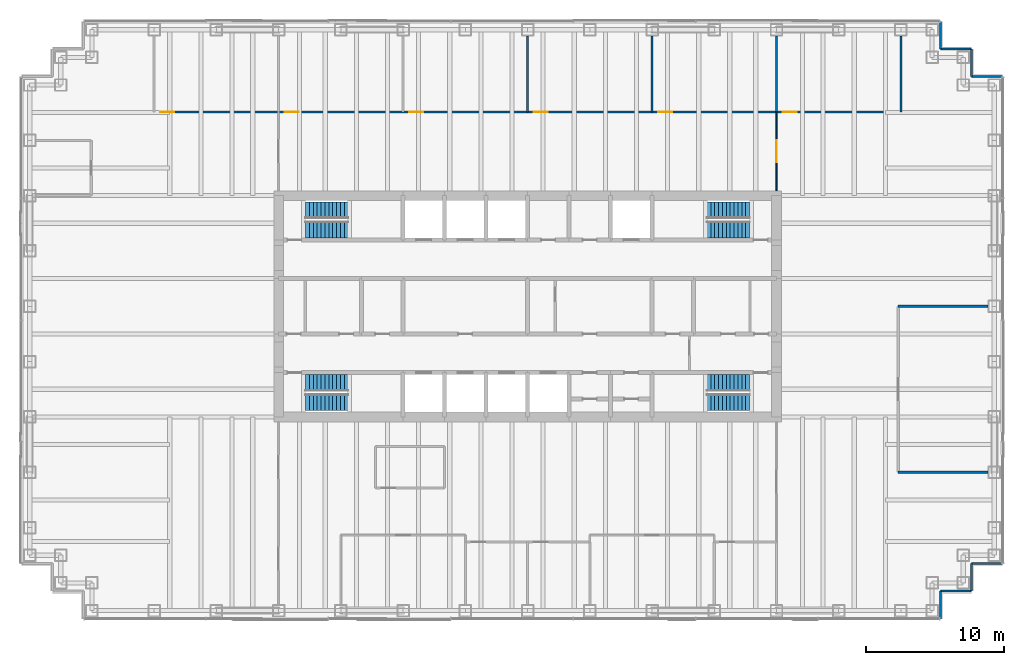
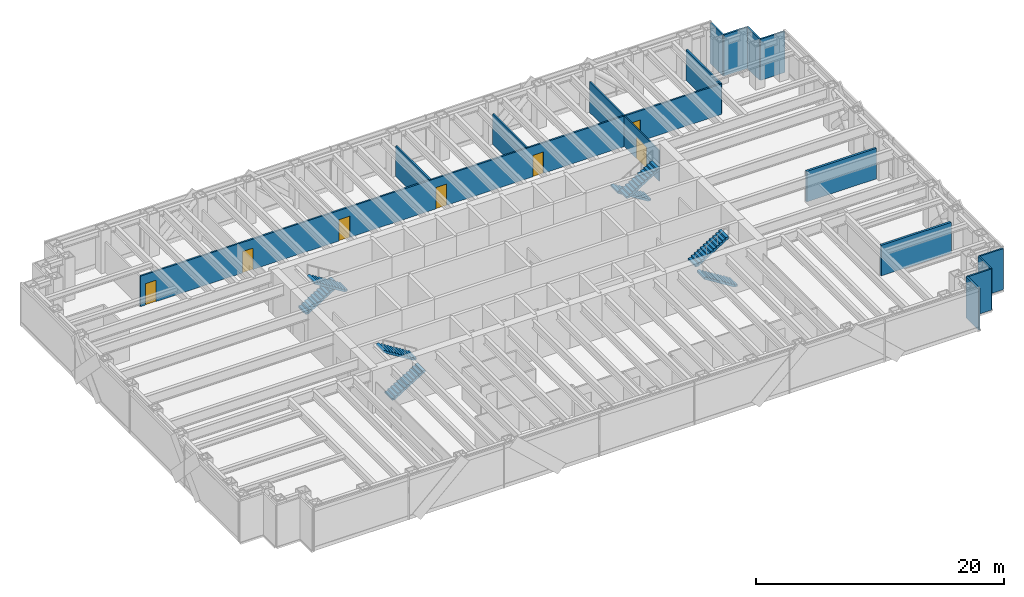
# One storey, part 16 of 17: 16 walls, 8 stair flights, 7 doors, 7 openings, 4 elements without a shape of their own.
"""IFC4 building model written with IfcOpenShell, lengths in metres."""

from ifc_helpers import new_model, si_unit, direction, frame, frame_2d, origin, place, context, subcontext, project, spatial, polyline, rectangle, outline, extrude, material, layer, layer_set, type_object, element, fill, aggregate, save


model = new_model("IFC4")

# Units and contexts
model_context = context("Model", 3, precision=1e-05, world=origin(), true_north=direction((0.0, 1.0)))
body_context = subcontext(model_context, "Body", "Model", "MODEL_VIEW")
ifc_project = project(units=[si_unit("LENGTHUNIT", "METRE"), si_unit("AREAUNIT", "SQUARE_METRE"), si_unit("VOLUMEUNIT", "CUBIC_METRE"), si_unit("PLANEANGLEUNIT", "RADIAN"), si_unit("MASSUNIT", "GRAM", prefix="KILO")], contexts=[model_context])

# Site, building, storey
site_placement = place(None, origin())
site = spatial("IfcSite", under=ifc_project, at=site_placement, CompositionType="ELEMENT")
building_placement = place(site_placement, origin())
building = spatial("IfcBuilding", under=site, at=building_placement, Name="Rheinbord Bourse Tower", CompositionType="ELEMENT")
storey_placement = place(building_placement, frame((0.0, 0.0, 283.699951171875)))
storey = spatial("IfcBuildingStorey", under=building, at=storey_placement, Name="L64", CompositionType="ELEMENT", Elevation=283.699951171875)

# Walls
ifc_material_1 = material(Name="Acoustic gypsum board partition", Category="gypsum board")
ifc_layer_1 = layer(ifc_material_1, 0.199951171875)
ifc_layer_set_1 = layer_set([ifc_layer_1], Name="ACOUSTIC PARTITION 200")
wall_type_1 = type_object("IfcWallType", Name="ACOUSTIC PARTITION 200", PredefinedType="PARTITIONING", material=ifc_layer_set_1)
for number, where, z_axis, x_axis, name in (
    (1, (62.800048828125, 12.0, 0.0), (0.0, 0.0, 1.0), (1.0, 0.0, 0.0), "Partition L64-06"),
    (2, (62.800048828125, 24.0, 0.0), (0.0, 0.0, 1.0), (1.0, 0.0, 0.0), "Partition L64-08"),
):
    element("IfcWall", number, at=place(storey_placement, frame(where, z_axis=z_axis, x_axis=x_axis)), inside=storey, type_object=wall_type_1, Name=name, PredefinedType="PARTITIONING", context=body_context, shape_type="SweptSolid", body=[
        extrude(rectangle(XDim=6.5, YDim=0.199951171875, at=frame_2d((3.25, 0.0))), origin(), (0.0, 0.0, 1.0), 3.0),
    ])
ifc_material_2 = material(Name="Black metal rainscreen panel", Category="aluminium")
ifc_layer_2 = layer(ifc_material_2, 0.14990234375)
ifc_layer_set_2 = layer_set([ifc_layer_2], Name="CORNER PIER CLADDING 150")
wall_type_2 = type_object("IfcWallType", Name="CORNER PIER CLADDING 150", PredefinedType="ELEMENTEDWALL", material=ifc_layer_set_2)
wall_1_placement = place(storey_placement, frame((65.85009765625, 1.39990234375, 0.0), z_axis=(0.0, 0.0, 1.0), x_axis=(0.0, 1.0, 0.0)))
element("IfcWall", 3, at=wall_1_placement, inside=storey, type_object=wall_type_2, Name="Corner pier cladding L64 2", PredefinedType="ELEMENTEDWALL", context=body_context, shape_type="SweptSolid", body=[
    extrude(rectangle(XDim=2.0, YDim=0.14990234375, at=frame_2d((1.0, 0.0))), origin(), (0.0, 0.0, 1.0), 4.0400390625),
])
wall_2_placement = place(storey_placement, frame((65.85009765625, 3.39990234375, 0.0), z_axis=(0.0, 0.0, 1.0), x_axis=(1.0, 0.0, 0.0)))
element("IfcWall", 4, at=wall_2_placement, inside=storey, type_object=wall_type_2, Name="Corner pier cladding L64 3", PredefinedType="ELEMENTEDWALL", context=body_context, shape_type="SweptSolid", body=[
    extrude(rectangle(XDim=2.25, YDim=0.14990234375, at=frame_2d((1.125, 0.0))), origin(), (0.0, 0.0, 1.0), 4.0400390625),
])
wall_3_placement = place(storey_placement, frame((68.10009765625, 3.39990234375, 0.0), z_axis=(0.0, 0.0, 1.0), x_axis=(0.0, 1.0, 0.0)))
element("IfcWall", 5, at=wall_3_placement, inside=storey, type_object=wall_type_2, Name="Corner pier cladding L64 4", PredefinedType="ELEMENTEDWALL", context=body_context, shape_type="SweptSolid", body=[
    extrude(rectangle(XDim=2.0, YDim=0.14990234375, at=frame_2d((1.0, 0.0))), origin(), (0.0, 0.0, 1.0), 4.0400390625),
])
for number, where, z_axis, x_axis, name in (
    (6, (68.10009765625, 5.39990234375, 0.0), (0.0, 0.0, 1.0), (1.0, 0.0, 0.0), "Corner pier cladding L64 5"),
    (7, (70.35009765625, 40.60009765625, 0.0), (0.0, 0.0, 1.0), (-1.0, 0.0, 0.0), "Corner pier cladding L64 7"),
):
    element("IfcWall", number, at=place(storey_placement, frame(where, z_axis=z_axis, x_axis=x_axis)), inside=storey, type_object=wall_type_2, Name=name, PredefinedType="ELEMENTEDWALL", context=body_context, shape_type="SweptSolid", body=[
        extrude(rectangle(XDim=2.25, YDim=0.14990234375, at=frame_2d((1.125, 0.0))), origin(), (0.0, 0.0, 1.0), 4.0400390625),
    ])
wall_4_placement = place(storey_placement, frame((68.10009765625, 40.60009765625, 0.0), z_axis=(0.0, 0.0, 1.0), x_axis=(0.0, 1.0, 0.0)))
element("IfcWall", 8, at=wall_4_placement, inside=storey, type_object=wall_type_2, Name="Corner pier cladding L64 8", PredefinedType="ELEMENTEDWALL", context=body_context, shape_type="SweptSolid", body=[
    extrude(rectangle(XDim=2.0, YDim=0.14990234375, at=frame_2d((1.0, 0.0))), origin(), (0.0, 0.0, 1.0), 4.0400390625),
])
wall_5_placement = place(storey_placement, frame((68.10009765625, 42.60009765625, 0.0), z_axis=(0.0, 0.0, 1.0), x_axis=(-1.0, 0.0, 0.0)))
element("IfcWall", 9, at=wall_5_placement, inside=storey, type_object=wall_type_2, Name="Corner pier cladding L64 9", PredefinedType="ELEMENTEDWALL", context=body_context, shape_type="SweptSolid", body=[
    extrude(rectangle(XDim=2.25, YDim=0.14990234375, at=frame_2d((1.125, 0.0))), origin(), (0.0, 0.0, 1.0), 4.0400390625),
])
wall_6_placement = place(storey_placement, frame((65.85009765625, 42.60009765625, 0.0), z_axis=(0.0, 0.0, 1.0), x_axis=(0.0, 1.0, 0.0)))
element("IfcWall", 10, at=wall_6_placement, inside=storey, type_object=wall_type_2, Name="Corner pier cladding L64 10", PredefinedType="ELEMENTEDWALL", context=body_context, shape_type="SweptSolid", body=[
    extrude(rectangle(XDim=2.0, YDim=0.14990234375, at=frame_2d((1.0, 0.0))), origin(), (0.0, 0.0, 1.0), 4.0400390625),
])

# Wall, opening, door
ifc_material_3 = material(Name="Toughened laminated glass partition", Category="glass")
ifc_layer_3 = layer(ifc_material_3, 0.10009765625)
ifc_layer_set_3 = layer_set([ifc_layer_3], Name="GLAZED PARTITION 100")
wall_type_3 = type_object("IfcWallType", Name="GLAZED PARTITION 100", PredefinedType="PARTITIONING", material=ifc_layer_set_3)
wall_7_placement = place(storey_placement, frame((54.0, 32.35009765625, 0.0), z_axis=(0.0, 0.0, 1.0), x_axis=(0.0, 1.0, 0.0)))
wall_7 = element("IfcWall", 11, at=wall_7_placement, inside=storey, type_object=wall_type_3, Name="Partition L64-32", PredefinedType="PARTITIONING", context=body_context, shape_type="SweptSolid", body=[
    extrude(rectangle(XDim=5.699951171875, YDim=0.10009765625, at=frame_2d((2.85009765625, 0.0))), origin(), (0.0, 0.0, 1.0), 3.0),
])
opening_1_placement = place(wall_7_placement, frame((2.050048828125, 0.0, 0.0)))
opening_1 = element("IfcOpeningElement", 12, at=opening_1_placement, cuts=wall_7, Name="Opening 64D19", PredefinedType="OPENING", context=body_context, shape_type="SweptSolid", body=[
    extrude(rectangle(XDim=1.60009765625, YDim=2.10009765625, at=frame_2d((0.800048828125, 1.050048828125))), frame((0.0, 0.06005859375, 0.0), z_axis=(0.0, -1.0, 0.0), x_axis=(1.0, 0.0, 0.0)), (0.0, 0.0, 1.0), 0.1201171875),
])
ifc_material_4 = material(Name="Timber door", Category="wood")
door_type_1 = type_object("IfcDoorType", Name="DOUBLE ROOM DOOR 1600", OperationType="DOUBLE_DOOR_DOUBLE_SWING", PredefinedType="DOOR", material=ifc_material_4)
door_1_placement = place(opening_1_placement, origin())
door_1 = element("IfcDoor", 13, at=door_1_placement, inside=storey, type_object=door_type_1, Name="Open area door L64", OperationType="SINGLE_SWING_LEFT", OverallHeight=2.10009765625, OverallWidth=1.60009765625, PredefinedType="DOOR", context=body_context, shape_type="SweptSolid", body=[
    extrude(rectangle(XDim=1.60009765625, YDim=2.10009765625, at=frame_2d((0.800048828125, 1.050048828125))), frame((0.0, 0.02490234375, 0.0), z_axis=(0.0, -1.0, 0.0), x_axis=(1.0, 0.0, 0.0)), (0.0, 0.0, 1.0), 0.050048828125),
])
fill(opening_1, door_1)

# Wall, openings, doors
ifc_material_5 = material(Name="Gypsum board partition", Category="gypsum board")
ifc_layer_4 = layer(ifc_material_5, 0.14990234375)
ifc_layer_set_4 = layer_set([ifc_layer_4], Name="PARTITION 150")
wall_type_4 = type_object("IfcWallType", Name="PARTITION 150", PredefinedType="PARTITIONING", material=ifc_layer_set_4)
wall_8_placement = place(storey_placement, frame((9.0, 38.050048828125, 0.0), z_axis=(0.0, 0.0, 1.0), x_axis=(1.0, 0.0, 0.0)))
wall_8 = element("IfcWall", 14, at=wall_8_placement, inside=storey, type_object=wall_type_4, Name="Partition L64-11", PredefinedType="PARTITIONING", context=body_context, shape_type="SweptSolid", body=[
    extrude(rectangle(XDim=54.0, YDim=0.14990234375, at=frame_2d((27.0, 0.0))), origin(), (0.0, 0.0, 1.0), 3.0),
])
opening_2_placement = place(wall_8_placement, frame((0.449951171875, 0.0, 0.0)))
opening_2 = element("IfcOpeningElement", 15, at=opening_2_placement, cuts=wall_8, Name="Opening 64D09", PredefinedType="OPENING", context=body_context, shape_type="SweptSolid", body=[
    extrude(rectangle(XDim=1.0, YDim=2.10009765625, at=frame_2d((0.5, 1.050048828125))), frame((0.0, 0.0849609375, 0.0), z_axis=(0.0, -1.0, 0.0), x_axis=(1.0, 0.0, 0.0)), (0.0, 0.0, 1.0), 0.169921875),
])
opening_3_placement = place(wall_8_placement, frame((9.449951171875, 0.0, 0.0)))
opening_3 = element("IfcOpeningElement", 16, at=opening_3_placement, cuts=wall_8, Name="Opening 64D10", PredefinedType="OPENING", context=body_context, shape_type="SweptSolid", body=[
    extrude(rectangle(XDim=1.0, YDim=2.10009765625, at=frame_2d((0.5, 1.050048828125))), frame((0.0, 0.0849609375, 0.0), z_axis=(0.0, -1.0, 0.0), x_axis=(1.0, 0.0, 0.0)), (0.0, 0.0, 1.0), 0.169921875),
])
opening_4_placement = place(wall_8_placement, frame((18.449951171875, 0.0, 0.0)))
opening_4 = element("IfcOpeningElement", 17, at=opening_4_placement, cuts=wall_8, Name="Opening 64D11", PredefinedType="OPENING", context=body_context, shape_type="SweptSolid", body=[
    extrude(rectangle(XDim=1.0, YDim=2.10009765625, at=frame_2d((0.5, 1.050048828125))), frame((0.0, 0.0849609375, 0.0), z_axis=(0.0, -1.0, 0.0), x_axis=(1.0, 0.0, 0.0)), (0.0, 0.0, 1.0), 0.169921875),
])
opening_5_placement = place(wall_8_placement, frame((27.449951171875, 0.0, 0.0)))
opening_5 = element("IfcOpeningElement", 18, at=opening_5_placement, cuts=wall_8, Name="Opening 64D12", PredefinedType="OPENING", context=body_context, shape_type="SweptSolid", body=[
    extrude(rectangle(XDim=1.0, YDim=2.10009765625, at=frame_2d((0.5, 1.050048828125))), frame((0.0, 0.0849609375, 0.0), z_axis=(0.0, -1.0, 0.0), x_axis=(1.0, 0.0, 0.0)), (0.0, 0.0, 1.0), 0.169921875),
])
opening_6_placement = place(wall_8_placement, frame((36.449951171875, 0.0, 0.0)))
opening_6 = element("IfcOpeningElement", 19, at=opening_6_placement, cuts=wall_8, Name="Opening 64D13", PredefinedType="OPENING", context=body_context, shape_type="SweptSolid", body=[
    extrude(rectangle(XDim=1.0, YDim=2.10009765625, at=frame_2d((0.5, 1.050048828125))), frame((0.0, 0.0849609375, 0.0), z_axis=(0.0, -1.0, 0.0), x_axis=(1.0, 0.0, 0.0)), (0.0, 0.0, 1.0), 0.169921875),
])
opening_7_placement = place(wall_8_placement, frame((45.449951171875, 0.0, 0.0)))
opening_7 = element("IfcOpeningElement", 20, at=opening_7_placement, cuts=wall_8, Name="Opening 64D14", PredefinedType="OPENING", context=body_context, shape_type="SweptSolid", body=[
    extrude(rectangle(XDim=1.0, YDim=2.10009765625, at=frame_2d((0.5, 1.050048828125))), frame((0.0, 0.0849609375, 0.0), z_axis=(0.0, -1.0, 0.0), x_axis=(1.0, 0.0, 0.0)), (0.0, 0.0, 1.0), 0.169921875),
])
ifc_material_6 = material(Name="Timber door", Category="wood")
door_type_2 = type_object("IfcDoorType", Name="ROOM DOOR 1000", OperationType="SINGLE_SWING_LEFT", PredefinedType="DOOR", material=ifc_material_6)
door_2_placement = place(opening_2_placement, origin())
door_2 = element("IfcDoor", 21, at=door_2_placement, inside=storey, type_object=door_type_2, Name="Executive office door L64", OperationType="SINGLE_SWING_LEFT", OverallHeight=2.10009765625, OverallWidth=1.0, PredefinedType="DOOR", context=body_context, shape_type="SweptSolid", body=[
    extrude(rectangle(XDim=1.0, YDim=2.10009765625, at=frame_2d((0.5, 1.050048828125))), frame((0.0, 0.02490234375, 0.0), z_axis=(0.0, -1.0, 0.0), x_axis=(1.0, 0.0, 0.0)), (0.0, 0.0, 1.0), 0.050048828125),
])
fill(opening_2, door_2)
door_3_placement = place(opening_3_placement, origin())
door_3 = element("IfcDoor", 22, at=door_3_placement, inside=storey, type_object=door_type_2, Name="Executive office door L64", OperationType="SINGLE_SWING_LEFT", OverallHeight=2.10009765625, OverallWidth=1.0, PredefinedType="DOOR", context=body_context, shape_type="SweptSolid", body=[
    extrude(rectangle(XDim=1.0, YDim=2.10009765625, at=frame_2d((0.5, 1.050048828125))), frame((0.0, 0.02490234375, 0.0), z_axis=(0.0, -1.0, 0.0), x_axis=(1.0, 0.0, 0.0)), (0.0, 0.0, 1.0), 0.050048828125),
])
fill(opening_3, door_3)
door_4_placement = place(opening_4_placement, origin())
door_4 = element("IfcDoor", 23, at=door_4_placement, inside=storey, type_object=door_type_2, Name="Executive office door L64", OperationType="SINGLE_SWING_LEFT", OverallHeight=2.10009765625, OverallWidth=1.0, PredefinedType="DOOR", context=body_context, shape_type="SweptSolid", body=[
    extrude(rectangle(XDim=1.0, YDim=2.10009765625, at=frame_2d((0.5, 1.050048828125))), frame((0.0, 0.02490234375, 0.0), z_axis=(0.0, -1.0, 0.0), x_axis=(1.0, 0.0, 0.0)), (0.0, 0.0, 1.0), 0.050048828125),
])
fill(opening_4, door_4)
door_5_placement = place(opening_5_placement, origin())
door_5 = element("IfcDoor", 24, at=door_5_placement, inside=storey, type_object=door_type_2, Name="Executive office door L64", OperationType="SINGLE_SWING_RIGHT", OverallHeight=2.10009765625, OverallWidth=1.0, PredefinedType="DOOR", context=body_context, shape_type="SweptSolid", body=[
    extrude(rectangle(XDim=1.0, YDim=2.10009765625, at=frame_2d((0.5, 1.050048828125))), frame((0.0, 0.02490234375, 0.0), z_axis=(0.0, -1.0, 0.0), x_axis=(1.0, 0.0, 0.0)), (0.0, 0.0, 1.0), 0.050048828125),
])
fill(opening_5, door_5)
door_6_placement = place(opening_6_placement, origin())
door_6 = element("IfcDoor", 25, at=door_6_placement, inside=storey, type_object=door_type_2, Name="Executive office door L64", OperationType="SINGLE_SWING_RIGHT", OverallHeight=2.10009765625, OverallWidth=1.0, PredefinedType="DOOR", context=body_context, shape_type="SweptSolid", body=[
    extrude(rectangle(XDim=1.0, YDim=2.10009765625, at=frame_2d((0.5, 1.050048828125))), frame((0.0, 0.02490234375, 0.0), z_axis=(0.0, -1.0, 0.0), x_axis=(1.0, 0.0, 0.0)), (0.0, 0.0, 1.0), 0.050048828125),
])
fill(opening_6, door_6)
door_7_placement = place(opening_7_placement, origin())
door_7 = element("IfcDoor", 26, at=door_7_placement, inside=storey, type_object=door_type_2, Name="Executive office door L64", OperationType="SINGLE_SWING_RIGHT", OverallHeight=2.10009765625, OverallWidth=1.0, PredefinedType="DOOR", context=body_context, shape_type="SweptSolid", body=[
    extrude(rectangle(XDim=1.0, YDim=2.10009765625, at=frame_2d((0.5, 1.050048828125))), frame((0.0, 0.02490234375, 0.0), z_axis=(0.0, -1.0, 0.0), x_axis=(1.0, 0.0, 0.0)), (0.0, 0.0, 1.0), 0.050048828125),
])
fill(opening_7, door_7)

# Walls
for number, where, z_axis, x_axis, name in (
    (27, (36.0, 38.050048828125, 0.0), (0.0, 0.0, 1.0), (0.0, 1.0, 0.0), "Partition L64-24"),
    (28, (45.0, 38.050048828125, 0.0), (0.0, 0.0, 1.0), (0.0, 1.0, 0.0), "Partition L64-27"),
    (29, (54.0, 38.050048828125, 0.0), (0.0, 0.0, 1.0), (0.0, 1.0, 0.0), "Partition L64-33"),
    (30, (63.0, 38.050048828125, 0.0), (0.0, 0.0, 1.0), (0.0, 1.0, 0.0), "Partition L64-35"),
):
    element("IfcWall", number, at=place(storey_placement, frame(where, z_axis=z_axis, x_axis=x_axis)), inside=storey, type_object=wall_type_4, Name=name, PredefinedType="PARTITIONING", context=body_context, shape_type="SweptSolid", body=[
        extrude(rectangle(XDim=5.5, YDim=0.14990234375, at=frame_2d((2.75, 0.0))), origin(), (0.0, 0.0, 1.0), 3.0),
    ])

# Stair, stair flights
ifc_material_7 = material(Name="Concrete C30/37", Category="concrete")
stair_type = type_object("IfcStairType", Name="CORE STAIR HALF TURN 4200", PredefinedType="HALF_TURN_STAIR", material=ifc_material_7)
stair_1_placement = place(storey_placement, origin())
stair_1 = element("IfcStair", 31, at=stair_1_placement, inside=storey, type_object=stair_type, Name="Stair ST1 L64, type CS6", PredefinedType="HALF_TURN_STAIR")
ifc_material_8 = material(Name="Concrete C30/37", Category="concrete")
stair_flight_type = type_object("IfcStairFlightType", Name="CORE STAIR FLIGHT 1200, 12 RISERS", PredefinedType="STRAIGHT", material=ifc_material_8)
stair_flight_1_placement = place(storey_placement, frame((19.949951171875, 17.050048828125, 0.0), z_axis=(0.0, 0.0, 1.0), x_axis=(1.0, 0.0, 0.0)))
stair_flight_1 = element("IfcStairFlight", 32, at=stair_flight_1_placement, type_object=stair_flight_type, Name="STAIR L64 ST1 F1", NumberOfRisers=12, NumberOfTreads=11, PredefinedType="STRAIGHT", RiserHeight=0.175, TreadLength=0.28, context=body_context, shape_type="SweptSolid", body=[
    extrude(outline(polyline([(0.0, 0.0), (0.0, 0.175048828125), (0.280029296875, 0.175048828125), (0.280029296875, 0.35009765625), (0.56005859375, 0.35009765625), (0.56005859375, 0.52490234375), (0.840087890625, 0.52490234375), (0.840087890625, 0.699951171875), (1.1201171875, 0.699951171875), (1.1201171875, 0.875), (1.39990234375, 0.875), (1.39990234375, 1.050048828125), (1.679931640625, 1.050048828125), (1.679931640625, 1.22509765625), (1.9599609375, 1.22509765625), (1.9599609375, 1.39990234375), (2.239990234375, 1.39990234375), (2.239990234375, 1.574951171875), (2.52001953125, 1.574951171875), (2.52001953125, 1.75), (2.800048828125, 1.75), (2.800048828125, 1.925048828125), (3.080078125, 1.925048828125), (3.080078125, 2.10009765625), (3.080078125, 1.748291015625), (0.28271484375, 0.0), (0.0, 0.0)])), frame((0.0, 0.60009765625, 0.0), z_axis=(0.0, -1.0, 0.0), x_axis=(1.0, 0.0, 0.0)), (0.0, 0.0, 1.0), 1.199951171875),
])
stair_flight_2_placement = place(storey_placement, frame((23.030029296875, 18.449951171875, 2.10009765625), z_axis=(0.0, 0.0, 1.0), x_axis=(-1.0, 0.0, 0.0)))
stair_flight_2 = element("IfcStairFlight", 33, at=stair_flight_2_placement, type_object=stair_flight_type, Name="STAIR L64 ST1 F2", NumberOfRisers=12, NumberOfTreads=11, PredefinedType="STRAIGHT", RiserHeight=0.175, TreadLength=0.28, context=body_context, shape_type="SweptSolid", body=[
    extrude(outline(polyline([(0.0, 0.0), (0.0, 0.175048828125), (0.280029296875, 0.175048828125), (0.280029296875, 0.35009765625), (0.56005859375, 0.35009765625), (0.56005859375, 0.52490234375), (0.840087890625, 0.52490234375), (0.840087890625, 0.699951171875), (1.1201171875, 0.699951171875), (1.1201171875, 0.875), (1.39990234375, 0.875), (1.39990234375, 1.050048828125), (1.679931640625, 1.050048828125), (1.679931640625, 1.22509765625), (1.9599609375, 1.22509765625), (1.9599609375, 1.39990234375), (2.239990234375, 1.39990234375), (2.239990234375, 1.574951171875), (2.52001953125, 1.574951171875), (2.52001953125, 1.75), (2.800048828125, 1.75), (2.800048828125, 1.925048828125), (3.080078125, 1.925048828125), (3.080078125, 2.10009765625), (3.080078125, 1.748291015625), (0.28271484375, 0.0), (0.0, 0.0)])), frame((0.0, 0.60009765625, 0.0), z_axis=(0.0, -1.0, 0.0), x_axis=(1.0, 0.0, 0.0)), (0.0, 0.0, 1.0), 1.199951171875),
])
aggregate(stair_1, [stair_flight_1, stair_flight_2])

stair_2_placement = place(storey_placement, origin())
stair_2 = element("IfcStair", 34, at=stair_2_placement, inside=storey, type_object=stair_type, Name="Stair ST2 L64, type CS6", PredefinedType="HALF_TURN_STAIR")
stair_flight_3_placement = place(storey_placement, frame((19.949951171875, 30.949951171875, 0.0), z_axis=(0.0, 0.0, 1.0), x_axis=(1.0, 0.0, 0.0)))
stair_flight_3 = element("IfcStairFlight", 35, at=stair_flight_3_placement, type_object=stair_flight_type, Name="STAIR L64 ST2 F1", NumberOfRisers=12, NumberOfTreads=11, PredefinedType="STRAIGHT", RiserHeight=0.175, TreadLength=0.28, context=body_context, shape_type="SweptSolid", body=[
    extrude(outline(polyline([(0.0, 0.0), (0.0, 0.175048828125), (0.280029296875, 0.175048828125), (0.280029296875, 0.35009765625), (0.56005859375, 0.35009765625), (0.56005859375, 0.52490234375), (0.840087890625, 0.52490234375), (0.840087890625, 0.699951171875), (1.1201171875, 0.699951171875), (1.1201171875, 0.875), (1.39990234375, 0.875), (1.39990234375, 1.050048828125), (1.679931640625, 1.050048828125), (1.679931640625, 1.22509765625), (1.9599609375, 1.22509765625), (1.9599609375, 1.39990234375), (2.239990234375, 1.39990234375), (2.239990234375, 1.574951171875), (2.52001953125, 1.574951171875), (2.52001953125, 1.75), (2.800048828125, 1.75), (2.800048828125, 1.925048828125), (3.080078125, 1.925048828125), (3.080078125, 2.10009765625), (3.080078125, 1.748291015625), (0.28271484375, 0.0), (0.0, 0.0)])), frame((0.0, 0.60009765625, 0.0), z_axis=(0.0, -1.0, 0.0), x_axis=(1.0, 0.0, 0.0)), (0.0, 0.0, 1.0), 1.199951171875),
])
stair_flight_4_placement = place(storey_placement, frame((23.030029296875, 29.550048828125, 2.10009765625), z_axis=(0.0, 0.0, 1.0), x_axis=(-1.0, 0.0, 0.0)))
stair_flight_4 = element("IfcStairFlight", 36, at=stair_flight_4_placement, type_object=stair_flight_type, Name="STAIR L64 ST2 F2", NumberOfRisers=12, NumberOfTreads=11, PredefinedType="STRAIGHT", RiserHeight=0.175, TreadLength=0.28, context=body_context, shape_type="SweptSolid", body=[
    extrude(outline(polyline([(0.0, 0.0), (0.0, 0.175048828125), (0.280029296875, 0.175048828125), (0.280029296875, 0.35009765625), (0.56005859375, 0.35009765625), (0.56005859375, 0.52490234375), (0.840087890625, 0.52490234375), (0.840087890625, 0.699951171875), (1.1201171875, 0.699951171875), (1.1201171875, 0.875), (1.39990234375, 0.875), (1.39990234375, 1.050048828125), (1.679931640625, 1.050048828125), (1.679931640625, 1.22509765625), (1.9599609375, 1.22509765625), (1.9599609375, 1.39990234375), (2.239990234375, 1.39990234375), (2.239990234375, 1.574951171875), (2.52001953125, 1.574951171875), (2.52001953125, 1.75), (2.800048828125, 1.75), (2.800048828125, 1.925048828125), (3.080078125, 1.925048828125), (3.080078125, 2.10009765625), (3.080078125, 1.748291015625), (0.28271484375, 0.0), (0.0, 0.0)])), frame((0.0, 0.60009765625, 0.0), z_axis=(0.0, -1.0, 0.0), x_axis=(1.0, 0.0, 0.0)), (0.0, 0.0, 1.0), 1.199951171875),
])
aggregate(stair_2, [stair_flight_3, stair_flight_4])

stair_3_placement = place(storey_placement, origin())
stair_3 = element("IfcStair", 37, at=stair_3_placement, inside=storey, type_object=stair_type, Name="Stair ST3 L64, type CS6", PredefinedType="HALF_TURN_STAIR")
stair_flight_5_placement = place(storey_placement, frame((52.050048828125, 17.050048828125, 0.0), z_axis=(0.0, 0.0, 1.0), x_axis=(-1.0, 0.0, 0.0)))
stair_flight_5 = element("IfcStairFlight", 38, at=stair_flight_5_placement, type_object=stair_flight_type, Name="STAIR L64 ST3 F1", NumberOfRisers=12, NumberOfTreads=11, PredefinedType="STRAIGHT", RiserHeight=0.175, TreadLength=0.28, context=body_context, shape_type="SweptSolid", body=[
    extrude(outline(polyline([(0.0, 0.0), (0.0, 0.175048828125), (0.280029296875, 0.175048828125), (0.280029296875, 0.35009765625), (0.56005859375, 0.35009765625), (0.56005859375, 0.52490234375), (0.840087890625, 0.52490234375), (0.840087890625, 0.699951171875), (1.1201171875, 0.699951171875), (1.1201171875, 0.875), (1.39990234375, 0.875), (1.39990234375, 1.050048828125), (1.679931640625, 1.050048828125), (1.679931640625, 1.22509765625), (1.9599609375, 1.22509765625), (1.9599609375, 1.39990234375), (2.239990234375, 1.39990234375), (2.239990234375, 1.574951171875), (2.52001953125, 1.574951171875), (2.52001953125, 1.75), (2.800048828125, 1.75), (2.800048828125, 1.925048828125), (3.080078125, 1.925048828125), (3.080078125, 2.10009765625), (3.080078125, 1.748291015625), (0.28271484375, 0.0), (0.0, 0.0)])), frame((0.0, 0.60009765625, 0.0), z_axis=(0.0, -1.0, 0.0), x_axis=(1.0, 0.0, 0.0)), (0.0, 0.0, 1.0), 1.199951171875),
])
stair_flight_6_placement = place(storey_placement, frame((48.969970703125, 18.449951171875, 2.10009765625), z_axis=(0.0, 0.0, 1.0), x_axis=(1.0, 0.0, 0.0)))
stair_flight_6 = element("IfcStairFlight", 39, at=stair_flight_6_placement, type_object=stair_flight_type, Name="STAIR L64 ST3 F2", NumberOfRisers=12, NumberOfTreads=11, PredefinedType="STRAIGHT", RiserHeight=0.175, TreadLength=0.28, context=body_context, shape_type="SweptSolid", body=[
    extrude(outline(polyline([(0.0, 0.0), (0.0, 0.175048828125), (0.280029296875, 0.175048828125), (0.280029296875, 0.35009765625), (0.56005859375, 0.35009765625), (0.56005859375, 0.52490234375), (0.840087890625, 0.52490234375), (0.840087890625, 0.699951171875), (1.1201171875, 0.699951171875), (1.1201171875, 0.875), (1.39990234375, 0.875), (1.39990234375, 1.050048828125), (1.679931640625, 1.050048828125), (1.679931640625, 1.22509765625), (1.9599609375, 1.22509765625), (1.9599609375, 1.39990234375), (2.239990234375, 1.39990234375), (2.239990234375, 1.574951171875), (2.52001953125, 1.574951171875), (2.52001953125, 1.75), (2.800048828125, 1.75), (2.800048828125, 1.925048828125), (3.080078125, 1.925048828125), (3.080078125, 2.10009765625), (3.080078125, 1.748291015625), (0.28271484375, 0.0), (0.0, 0.0)])), frame((0.0, 0.60009765625, 0.0), z_axis=(0.0, -1.0, 0.0), x_axis=(1.0, 0.0, 0.0)), (0.0, 0.0, 1.0), 1.199951171875),
])
aggregate(stair_3, [stair_flight_5, stair_flight_6])

stair_4_placement = place(storey_placement, origin())
stair_4 = element("IfcStair", 40, at=stair_4_placement, inside=storey, type_object=stair_type, Name="Stair ST4 L64, type CS6", PredefinedType="HALF_TURN_STAIR")
stair_flight_7_placement = place(storey_placement, frame((52.050048828125, 30.949951171875, 0.0), z_axis=(0.0, 0.0, 1.0), x_axis=(-1.0, 0.0, 0.0)))
stair_flight_7 = element("IfcStairFlight", 41, at=stair_flight_7_placement, type_object=stair_flight_type, Name="STAIR L64 ST4 F1", NumberOfRisers=12, NumberOfTreads=11, PredefinedType="STRAIGHT", RiserHeight=0.175, TreadLength=0.28, context=body_context, shape_type="SweptSolid", body=[
    extrude(outline(polyline([(0.0, 0.0), (0.0, 0.175048828125), (0.280029296875, 0.175048828125), (0.280029296875, 0.35009765625), (0.56005859375, 0.35009765625), (0.56005859375, 0.52490234375), (0.840087890625, 0.52490234375), (0.840087890625, 0.699951171875), (1.1201171875, 0.699951171875), (1.1201171875, 0.875), (1.39990234375, 0.875), (1.39990234375, 1.050048828125), (1.679931640625, 1.050048828125), (1.679931640625, 1.22509765625), (1.9599609375, 1.22509765625), (1.9599609375, 1.39990234375), (2.239990234375, 1.39990234375), (2.239990234375, 1.574951171875), (2.52001953125, 1.574951171875), (2.52001953125, 1.75), (2.800048828125, 1.75), (2.800048828125, 1.925048828125), (3.080078125, 1.925048828125), (3.080078125, 2.10009765625), (3.080078125, 1.748291015625), (0.28271484375, 0.0), (0.0, 0.0)])), frame((0.0, 0.60009765625, 0.0), z_axis=(0.0, -1.0, 0.0), x_axis=(1.0, 0.0, 0.0)), (0.0, 0.0, 1.0), 1.199951171875),
])
stair_flight_8_placement = place(storey_placement, frame((48.969970703125, 29.550048828125, 2.10009765625), z_axis=(0.0, 0.0, 1.0), x_axis=(1.0, 0.0, 0.0)))
stair_flight_8 = element("IfcStairFlight", 42, at=stair_flight_8_placement, type_object=stair_flight_type, Name="STAIR L64 ST4 F2", NumberOfRisers=12, NumberOfTreads=11, PredefinedType="STRAIGHT", RiserHeight=0.175, TreadLength=0.28, context=body_context, shape_type="SweptSolid", body=[
    extrude(outline(polyline([(0.0, 0.0), (0.0, 0.175048828125), (0.280029296875, 0.175048828125), (0.280029296875, 0.35009765625), (0.56005859375, 0.35009765625), (0.56005859375, 0.52490234375), (0.840087890625, 0.52490234375), (0.840087890625, 0.699951171875), (1.1201171875, 0.699951171875), (1.1201171875, 0.875), (1.39990234375, 0.875), (1.39990234375, 1.050048828125), (1.679931640625, 1.050048828125), (1.679931640625, 1.22509765625), (1.9599609375, 1.22509765625), (1.9599609375, 1.39990234375), (2.239990234375, 1.39990234375), (2.239990234375, 1.574951171875), (2.52001953125, 1.574951171875), (2.52001953125, 1.75), (2.800048828125, 1.75), (2.800048828125, 1.925048828125), (3.080078125, 1.925048828125), (3.080078125, 2.10009765625), (3.080078125, 1.748291015625), (0.28271484375, 0.0), (0.0, 0.0)])), frame((0.0, 0.60009765625, 0.0), z_axis=(0.0, -1.0, 0.0), x_axis=(1.0, 0.0, 0.0)), (0.0, 0.0, 1.0), 1.199951171875),
])
aggregate(stair_4, [stair_flight_7, stair_flight_8])

save(model, "model.ifc")
